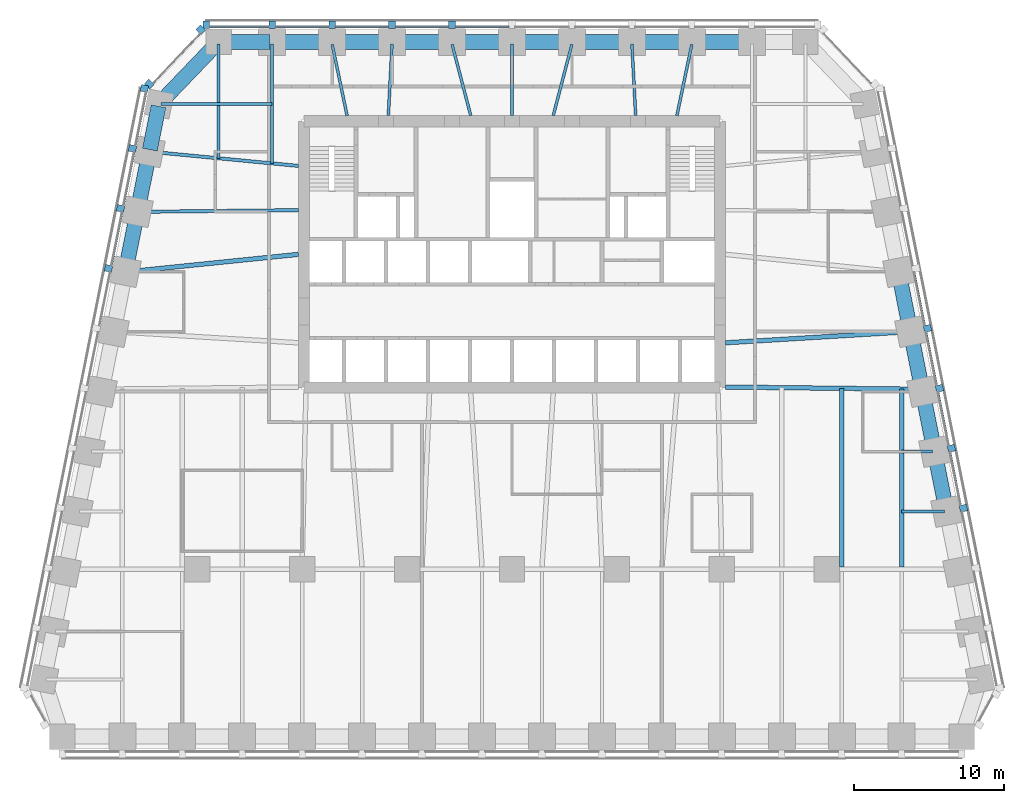
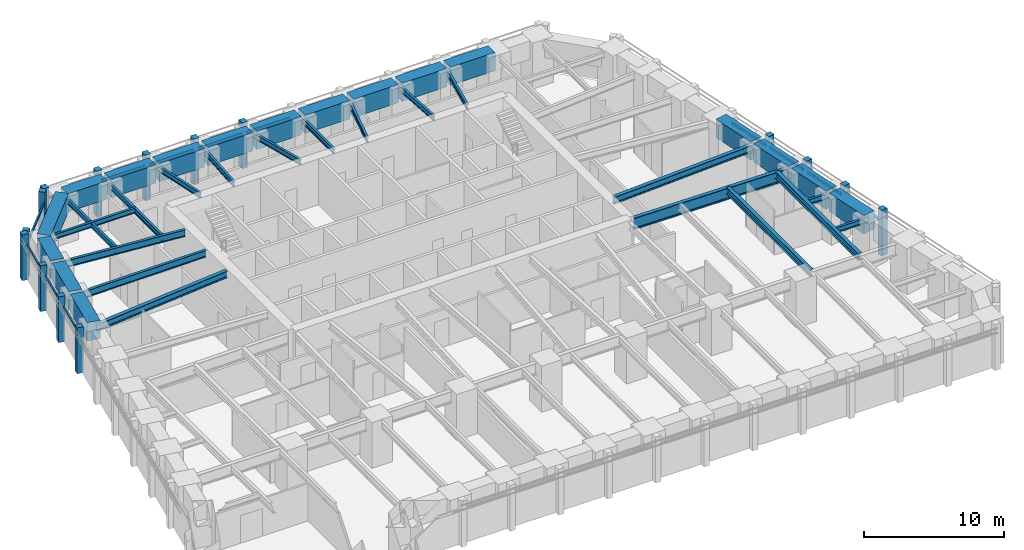
# One storey, part 3 of 10: 36 beams, 28 members, 4 elements without a shape of their own.
"""IFC4 building model written with IfcOpenShell, lengths in metres."""

from ifc_helpers import new_model, si_unit, direction, frame, origin, origin_2d, place, context, subcontext, project, spatial, rectangle, i_section, extrude, material, material_profile, profile_set, type_object, element, aggregate, save


model = new_model("IFC4")

# Units and contexts
model_context = context("Model", 3, precision=1e-05, world=origin(), true_north=direction((0.0, 1.0)))
body_context = subcontext(model_context, "Body", "Model", "MODEL_VIEW")
ifc_project = project(units=[si_unit("LENGTHUNIT", "METRE"), si_unit("AREAUNIT", "SQUARE_METRE"), si_unit("VOLUMEUNIT", "CUBIC_METRE"), si_unit("PLANEANGLEUNIT", "RADIAN"), si_unit("MASSUNIT", "GRAM", prefix="KILO")], contexts=[model_context])

# Site, building, storey
site_placement = place(None, origin())
site = spatial("IfcSite", under=ifc_project, at=site_placement, CompositionType="ELEMENT")
building_placement = place(site_placement, origin())
building = spatial("IfcBuilding", under=site, at=building_placement, Name="Isbrekke Arena Tower", CompositionType="ELEMENT")
storey_placement = place(building_placement, frame((0.0, 0.0, 151.0)))
storey = spatial("IfcBuildingStorey", under=building, at=storey_placement, Name="L34", CompositionType="ELEMENT", Elevation=151.0)

# Beams
ifc_material_1 = material(Name="Steel S355", Category="steel")
ifc_material_profile_1 = material_profile(ifc_material_1, i_section(OverallWidth=0.219970703125, OverallDepth=0.60009765625, WebThickness=0.011962890625, FlangeThickness=0.01904296875, FilletRadius=0.02392578125, at=origin_2d()), Name="IPE 600")
ifc_profile_set_1 = profile_set([ifc_material_profile_1], Name="Steel S355")
beam_type_1 = type_object("IfcBeamType", Name="B1 IPE 600", PredefinedType="BEAM", material=ifc_profile_set_1)
beam_1_placement = place(storey_placement, frame((-24.030517578125, 21.837158203125, 3.550048828125), z_axis=(0.995439798606, -0.095391862082, 0.0), x_axis=(0.095391862082, 0.995439798606, 0.0)))
element("IfcBeam", 1, at=beam_1_placement, inside=storey, type_object=beam_type_1, Name="B1 beam E-W02 L34", PredefinedType="BEAM", context=body_context, shape_type="SweptSolid", body=[
    extrude(i_section(OverallWidth=0.219970703125, OverallDepth=0.60009765625, WebThickness=0.011962890625, FlangeThickness=0.01904296875, FilletRadius=0.02392578125, at=origin_2d()), origin(), (0.0, 0.0, 1.0), 9.825439453125),
])
beam_2_placement = place(storey_placement, frame((-24.83984375, 17.838134765625, 3.550048828125), z_axis=(0.999944260169, 0.010558245831, 0.0), x_axis=(-0.010558245831, 0.999944260169, 0.0)))
element("IfcBeam", 2, at=beam_2_placement, inside=storey, type_object=beam_type_1, Name="B1 beam E-W03 L34", PredefinedType="BEAM", context=body_context, shape_type="SweptSolid", body=[
    extrude(i_section(OverallWidth=0.219970703125, OverallDepth=0.60009765625, WebThickness=0.011962890625, FlangeThickness=0.01904296875, FilletRadius=0.02392578125, at=origin_2d()), origin(), (0.0, 0.0, 1.0), 10.59033203125),
])
ifc_material_2 = material(Name="Steel S355", Category="steel")
ifc_material_profile_2 = material_profile(ifc_material_2, i_section(OverallWidth=0.18994140625, OverallDepth=0.449951171875, WebThickness=0.009521484375, FlangeThickness=0.0146484375, FilletRadius=0.02099609375, at=origin_2d()), Name="IPE 450")
ifc_profile_set_2 = profile_set([ifc_material_profile_2], Name="Steel S355")
beam_type_2 = type_object("IfcBeamType", Name="B2 IPE 450", PredefinedType="BEAM", material=ifc_profile_set_2)
beam_3_placement = place(storey_placement, frame((28.841064453125, -2.161865234375, 3.625), z_axis=(-1.0, 0.0, 0.0), x_axis=(0.0, -1.0, 0.0)))
element("IfcBeam", 3, at=beam_3_placement, inside=storey, type_object=beam_type_2, Name="B2 beam E-E04 L34", PredefinedType="BEAM", context=body_context, shape_type="SweptSolid", body=[
    extrude(i_section(OverallWidth=0.18994140625, OverallDepth=0.449951171875, WebThickness=0.009521484375, FlangeThickness=0.0146484375, FilletRadius=0.02099609375, at=origin_2d()), origin(), (0.0, 0.0, 1.0), 2.841064453125),
])
beam_4_placement = place(storey_placement, frame((28.041015625, 1.838134765625, 3.625), z_axis=(-1.0, 0.0, 0.0), x_axis=(0.0, -1.0, 0.0)))
element("IfcBeam", 4, at=beam_4_placement, inside=storey, type_object=beam_type_2, Name="B2 beam E-E05 L34", PredefinedType="BEAM", context=body_context, shape_type="SweptSolid", body=[
    extrude(i_section(OverallWidth=0.18994140625, OverallDepth=0.449951171875, WebThickness=0.009521484375, FlangeThickness=0.0146484375, FilletRadius=0.02099609375, at=origin_2d()), origin(), (0.0, 0.0, 1.0), 2.041015625),
])
beam_5_placement = place(storey_placement, frame((-23.40283203125, 25.029296875, 3.625), z_axis=(1.0, 0.0, 0.0), x_axis=(0.0, 1.0, 0.0)))
element("IfcBeam", 5, at=beam_5_placement, inside=storey, type_object=beam_type_2, Name="B2 beam E-W01 L34", PredefinedType="BEAM", context=body_context, shape_type="SweptSolid", body=[
    extrude(i_section(OverallWidth=0.18994140625, OverallDepth=0.449951171875, WebThickness=0.009521484375, FlangeThickness=0.0146484375, FilletRadius=0.02099609375, at=origin_2d()), origin(), (0.0, 0.0, 1.0), 7.40283203125),
])
ifc_material_3 = material(Name="Steel S355", Category="steel")
ifc_material_profile_3 = material_profile(ifc_material_3, i_section(OverallWidth=0.18994140625, OverallDepth=0.449951171875, WebThickness=0.009521484375, FlangeThickness=0.0146484375, FilletRadius=0.02099609375, at=origin_2d()), Name="IPE 450")
ifc_profile_set_3 = profile_set([ifc_material_profile_3], Name="Steel S355")
beam_type_3 = type_object("IfcBeamType", Name="B3 IPE 450", PredefinedType="BEAM", material=ifc_profile_set_3)
beam_6_placement = place(storey_placement, frame((-16.0, 29.02490234375, 3.625), z_axis=(0.0, -1.0, 0.0), x_axis=(1.0, 0.0, 0.0)))
element("IfcBeam", 6, at=beam_6_placement, inside=storey, type_object=beam_type_3, Name="B3 beam N-N10 L34", PredefinedType="BEAM", context=body_context, shape_type="SweptSolid", body=[
    extrude(i_section(OverallWidth=0.18994140625, OverallDepth=0.449951171875, WebThickness=0.009521484375, FlangeThickness=0.0146484375, FilletRadius=0.02099609375, at=origin_2d()), origin(), (0.0, 0.0, 1.0), 7.957275390625),
])
beam_7_placement = place(storey_placement, frame((-19.574951171875, 29.02490234375, 3.625), z_axis=(0.0, -1.0, 0.0), x_axis=(1.0, 0.0, 0.0)))
element("IfcBeam", 7, at=beam_7_placement, inside=storey, type_object=beam_type_3, Name="B3 beam N-N11 L34", PredefinedType="BEAM", context=body_context, shape_type="SweptSolid", body=[
    extrude(i_section(OverallWidth=0.18994140625, OverallDepth=0.449951171875, WebThickness=0.009521484375, FlangeThickness=0.0146484375, FilletRadius=0.02099609375, at=origin_2d()), origin(), (0.0, 0.0, 1.0), 7.61474609375),
])
beam_8_placement = place(storey_placement, frame((11.99609375, 29.005859375, 3.625), z_axis=(-0.20499748459, -0.978762499952, 0.0), x_axis=(0.978762499952, -0.20499748459, 0.0)))
element("IfcBeam", 8, at=beam_8_placement, inside=storey, type_object=beam_type_3, Name="B3 beam N-N03 L34", PredefinedType="BEAM", context=body_context, shape_type="SweptSolid", body=[
    extrude(i_section(OverallWidth=0.18994140625, OverallDepth=0.449951171875, WebThickness=0.009521484375, FlangeThickness=0.0146484375, FilletRadius=0.02099609375, at=origin_2d()), origin(), (0.0, 0.0, 1.0), 4.859130859375),
])
beam_9_placement = place(storey_placement, frame((8.000244140625, 29.02001953125, 3.625), z_axis=(0.052287879538, -0.998632053187, 0.0), x_axis=(0.998632053187, 0.052287879538, 0.0)))
element("IfcBeam", 9, at=beam_9_placement, inside=storey, type_object=beam_type_3, Name="B3 beam N-N04 L34", PredefinedType="BEAM", context=body_context, shape_type="SweptSolid", body=[
    extrude(i_section(OverallWidth=0.18994140625, OverallDepth=0.449951171875, WebThickness=0.009521484375, FlangeThickness=0.0146484375, FilletRadius=0.02099609375, at=origin_2d()), origin(), (0.0, 0.0, 1.0), 4.776611328125),
])
beam_10_placement = place(storey_placement, frame((3.993896484375, 29.001708984375, 3.625), z_axis=(-0.253245319824, -0.967402092197, 0.0), x_axis=(0.967402092197, -0.253245319824, 0.0)))
element("IfcBeam", 10, at=beam_10_placement, inside=storey, type_object=beam_type_3, Name="B3 beam N-N05 L34", PredefinedType="BEAM", context=body_context, shape_type="SweptSolid", body=[
    extrude(i_section(OverallWidth=0.18994140625, OverallDepth=0.449951171875, WebThickness=0.009521484375, FlangeThickness=0.0146484375, FilletRadius=0.02099609375, at=origin_2d()), origin(), (0.0, 0.0, 1.0), 4.911865234375),
])
beam_11_placement = place(storey_placement, frame((0.0, 29.02490234375, 3.625), z_axis=(0.0, -1.0, 0.0), x_axis=(1.0, 0.0, 0.0)))
element("IfcBeam", 11, at=beam_11_placement, inside=storey, type_object=beam_type_3, Name="B3 beam N-N06 L34", PredefinedType="BEAM", context=body_context, shape_type="SweptSolid", body=[
    extrude(i_section(OverallWidth=0.18994140625, OverallDepth=0.449951171875, WebThickness=0.009521484375, FlangeThickness=0.0146484375, FilletRadius=0.02099609375, at=origin_2d()), origin(), (0.0, 0.0, 1.0), 4.77490234375),
])
beam_12_placement = place(storey_placement, frame((-3.993896484375, 29.001708984375, 3.625), z_axis=(0.253245319824, -0.967402092197, 0.0), x_axis=(0.967402092197, 0.253245319824, 0.0)))
element("IfcBeam", 12, at=beam_12_placement, inside=storey, type_object=beam_type_3, Name="B3 beam N-N07 L34", PredefinedType="BEAM", context=body_context, shape_type="SweptSolid", body=[
    extrude(i_section(OverallWidth=0.18994140625, OverallDepth=0.449951171875, WebThickness=0.009521484375, FlangeThickness=0.0146484375, FilletRadius=0.02099609375, at=origin_2d()), origin(), (0.0, 0.0, 1.0), 4.911865234375),
])
beam_13_placement = place(storey_placement, frame((-8.000244140625, 29.02001953125, 3.625), z_axis=(-0.052287879538, -0.998632053187, 0.0), x_axis=(0.998632053187, -0.052287879538, 0.0)))
element("IfcBeam", 13, at=beam_13_placement, inside=storey, type_object=beam_type_3, Name="B3 beam N-N08 L34", PredefinedType="BEAM", context=body_context, shape_type="SweptSolid", body=[
    extrude(i_section(OverallWidth=0.18994140625, OverallDepth=0.449951171875, WebThickness=0.009521484375, FlangeThickness=0.0146484375, FilletRadius=0.02099609375, at=origin_2d()), origin(), (0.0, 0.0, 1.0), 4.776611328125),
])
beam_14_placement = place(storey_placement, frame((-11.99609375, 29.005859375, 3.625), z_axis=(0.20499748459, -0.978762499952, 0.0), x_axis=(0.978762499952, 0.20499748459, 0.0)))
element("IfcBeam", 14, at=beam_14_placement, inside=storey, type_object=beam_type_3, Name="B3 beam N-N09 L34", PredefinedType="BEAM", context=body_context, shape_type="SweptSolid", body=[
    extrude(i_section(OverallWidth=0.18994140625, OverallDepth=0.449951171875, WebThickness=0.009521484375, FlangeThickness=0.0146484375, FilletRadius=0.02099609375, at=origin_2d()), origin(), (0.0, 0.0, 1.0), 4.859130859375),
])
ifc_material_4 = material(Name="Steel S355", Category="steel")
ifc_material_profile_4 = material_profile(ifc_material_4, i_section(OverallWidth=0.300048828125, OverallDepth=0.60009765625, WebThickness=0.015380859375, FlangeThickness=0.030029296875, FilletRadius=0.027099609375, at=origin_2d()), Name="HEB 600")
ifc_profile_set_4 = profile_set([ifc_material_profile_4], Name="Steel S355")
beam_type_4 = type_object("IfcBeamType", Name="B7 HEB 600", PredefinedType="BEAM", material=ifc_profile_set_4)
beam_15_placement = place(storey_placement, frame((22.0, -5.84912109375, 3.550048828125), z_axis=(0.0, 1.0, 0.0), x_axis=(-1.0, 0.0, 0.0)))
element("IfcBeam", 15, at=beam_15_placement, inside=storey, type_object=beam_type_4, Name="B7 beam C-M13 L34", PredefinedType="BEAM", context=body_context, shape_type="SweptSolid", body=[
    extrude(i_section(OverallWidth=0.300048828125, OverallDepth=0.60009765625, WebThickness=0.015380859375, FlangeThickness=0.030029296875, FilletRadius=0.027099609375, at=origin_2d()), origin(), (0.0, 0.0, 1.0), 11.91064453125),
])
beam_16_placement = place(storey_placement, frame((26.0, -5.84912109375, 3.550048828125), z_axis=(0.0, 1.0, 0.0), x_axis=(-1.0, 0.0, 0.0)))
element("IfcBeam", 16, at=beam_16_placement, inside=storey, type_object=beam_type_4, Name="B7 beam C-M14 L34", PredefinedType="BEAM", context=body_context, shape_type="SweptSolid", body=[
    extrude(i_section(OverallWidth=0.300048828125, OverallDepth=0.60009765625, WebThickness=0.015380859375, FlangeThickness=0.030029296875, FilletRadius=0.027099609375, at=origin_2d()), origin(), (0.0, 0.0, 1.0), 11.864990234375),
])
beam_17_placement = place(storey_placement, frame((26.431884765625, 9.837646484375, 3.550048828125), z_axis=(-0.998172191876, -0.060434057993, 0.0), x_axis=(0.060434057993, -0.998172191876, 0.0)))
element("IfcBeam", 17, at=beam_17_placement, inside=storey, type_object=beam_type_4, Name="B7 beam E-E07 L34", PredefinedType="BEAM", context=body_context, shape_type="SweptSolid", body=[
    extrude(i_section(OverallWidth=0.300048828125, OverallDepth=0.60009765625, WebThickness=0.015380859375, FlangeThickness=0.030029296875, FilletRadius=0.027099609375, at=origin_2d()), origin(), (0.0, 0.0, 1.0), 12.2041015625),
])
beam_18_placement = place(storey_placement, frame((-25.6259765625, 13.83984375, 3.550048828125), z_axis=(0.994839949319, 0.10145676537, 0.0), x_axis=(-0.10145676537, 0.994839949319, 0.0)))
element("IfcBeam", 18, at=beam_18_placement, inside=storey, type_object=beam_type_4, Name="B7 beam E-W04 L34", PredefinedType="BEAM", context=body_context, shape_type="SweptSolid", body=[
    extrude(i_section(OverallWidth=0.300048828125, OverallDepth=0.60009765625, WebThickness=0.015380859375, FlangeThickness=0.030029296875, FilletRadius=0.027099609375, at=origin_2d()), origin(), (0.0, 0.0, 1.0), 11.43505859375),
])

# Curtain wall, members
ifc_material_5 = material(Name="Glazed aluminium curtain wall", Category="aluminium")
curtain_wall_type = type_object("IfcCurtainWallType", Name="CWM TOWER CURTAIN WALL MID ZONE", PredefinedType="USERDEFINED", material=ifc_material_5)
curtain_wall_1_placement = place(storey_placement, origin())
curtain_wall_1 = element("IfcCurtainWall", 19, at=curtain_wall_1_placement, inside=storey, type_object=curtain_wall_type, Name="CWM curtain wall L34-E", ObjectType="TOWER CURTAIN WALL MID ZONE", PredefinedType="USERDEFINED")
ifc_material_6 = material(Name="Aluminium mullion, pale brick slip cladding", Category="masonry")
ifc_material_profile_5 = material_profile(ifc_material_6, rectangle(XDim=0.449951171875, YDim=0.5, at=origin_2d()), Name="PIER 450X500")
ifc_profile_set_5 = profile_set([ifc_material_profile_5], Name="Aluminium mullion, pale brick slip cladding")
member_type_1 = type_object("IfcMemberType", Name="CWM-M PIER MULLION 450 x 500", PredefinedType="MULLION", material=ifc_profile_set_5)
member_1_placement = place(storey_placement, frame((30.11865234375, -1.936279296875, 0.0), z_axis=(0.0, 0.0, 1.0), x_axis=(-0.196116135138, 0.980580675691, 0.0)))
member_1 = element("IfcMember", 20, at=member_1_placement, type_object=member_type_1, Name="CWM-M mullion 4", PredefinedType="MULLION", context=body_context, shape_type="SweptSolid", body=[
    extrude(rectangle(XDim=0.449951171875, YDim=0.5, at=origin_2d()), origin(), (0.0, 0.0, 1.0), 4.0),
])
member_2_placement = place(storey_placement, frame((29.318603515625, 2.063720703125, 0.0), z_axis=(0.0, 0.0, 1.0), x_axis=(-0.196116135138, 0.980580675691, 0.0)))
member_2 = element("IfcMember", 21, at=member_2_placement, type_object=member_type_1, Name="CWM-M mullion 5", PredefinedType="MULLION", context=body_context, shape_type="SweptSolid", body=[
    extrude(rectangle(XDim=0.449951171875, YDim=0.5, at=origin_2d()), origin(), (0.0, 0.0, 1.0), 4.0),
])
member_3_placement = place(storey_placement, frame((28.518798828125, 6.063720703125, 0.0), z_axis=(0.0, 0.0, 1.0), x_axis=(-0.196116135138, 0.980580675691, 0.0)))
member_3 = element("IfcMember", 22, at=member_3_placement, type_object=member_type_1, Name="CWM-M mullion 6", PredefinedType="MULLION", context=body_context, shape_type="SweptSolid", body=[
    extrude(rectangle(XDim=0.449951171875, YDim=0.5, at=origin_2d()), origin(), (0.0, 0.0, 1.0), 4.0),
])
member_4_placement = place(storey_placement, frame((27.71875, 10.063720703125, 0.0), z_axis=(0.0, 0.0, 1.0), x_axis=(-0.196116135138, 0.980580675691, 0.0)))
member_4 = element("IfcMember", 23, at=member_4_placement, type_object=member_type_1, Name="CWM-M mullion 7", PredefinedType="MULLION", context=body_context, shape_type="SweptSolid", body=[
    extrude(rectangle(XDim=0.449951171875, YDim=0.5, at=origin_2d()), origin(), (0.0, 0.0, 1.0), 4.0),
])

curtain_wall_2_placement = place(storey_placement, origin())
curtain_wall_2 = element("IfcCurtainWall", 24, at=curtain_wall_2_placement, inside=storey, type_object=curtain_wall_type, Name="CWM curtain wall L34-N", ObjectType="TOWER CURTAIN WALL MID ZONE", PredefinedType="USERDEFINED")
member_5_placement = place(storey_placement, frame((-4.0, 30.324951171875, 0.0), z_axis=(0.0, 0.0, 1.0), x_axis=(-1.0, 0.0, 0.0)))
member_5 = element("IfcMember", 25, at=member_5_placement, type_object=member_type_1, Name="CWM-M mullion 7", PredefinedType="MULLION", context=body_context, shape_type="SweptSolid", body=[
    extrude(rectangle(XDim=0.449951171875, YDim=0.5, at=origin_2d()), origin(), (0.0, 0.0, 1.0), 4.0),
])
member_6_placement = place(storey_placement, frame((-8.0, 30.324951171875, 0.0), z_axis=(0.0, 0.0, 1.0), x_axis=(-1.0, 0.0, 0.0)))
member_6 = element("IfcMember", 26, at=member_6_placement, type_object=member_type_1, Name="CWM-M mullion 8", PredefinedType="MULLION", context=body_context, shape_type="SweptSolid", body=[
    extrude(rectangle(XDim=0.449951171875, YDim=0.5, at=origin_2d()), origin(), (0.0, 0.0, 1.0), 4.0),
])
member_7_placement = place(storey_placement, frame((-12.0, 30.324951171875, 0.0), z_axis=(0.0, 0.0, 1.0), x_axis=(-1.0, 0.0, 0.0)))
member_7 = element("IfcMember", 27, at=member_7_placement, type_object=member_type_1, Name="CWM-M mullion 9", PredefinedType="MULLION", context=body_context, shape_type="SweptSolid", body=[
    extrude(rectangle(XDim=0.449951171875, YDim=0.5, at=origin_2d()), origin(), (0.0, 0.0, 1.0), 4.0),
])
member_8_placement = place(storey_placement, frame((-16.0, 30.324951171875, 0.0), z_axis=(0.0, 0.0, 1.0), x_axis=(-1.0, 0.0, 0.0)))
member_8 = element("IfcMember", 28, at=member_8_placement, type_object=member_type_1, Name="CWM-M mullion 10", PredefinedType="MULLION", context=body_context, shape_type="SweptSolid", body=[
    extrude(rectangle(XDim=0.449951171875, YDim=0.5, at=origin_2d()), origin(), (0.0, 0.0, 1.0), 4.0),
])
member_9_placement = place(storey_placement, frame((-20.39990234375, 30.324951171875, 0.0), z_axis=(0.0, 0.0, 1.0), x_axis=(-1.0, 0.0, 0.0)))
member_9 = element("IfcMember", 29, at=member_9_placement, type_object=member_type_1, Name="CWM-M mullion 11", PredefinedType="MULLION", context=body_context, shape_type="SweptSolid", body=[
    extrude(rectangle(XDim=0.449951171875, YDim=0.5, at=origin_2d()), origin(), (0.0, 0.0, 1.0), 4.0),
])

curtain_wall_3_placement = place(storey_placement, origin())
curtain_wall_3 = element("IfcCurtainWall", 30, at=curtain_wall_3_placement, inside=storey, type_object=curtain_wall_type, Name="CWM curtain wall L34-NW", ObjectType="TOWER CURTAIN WALL MID ZONE", PredefinedType="USERDEFINED")
member_10_placement = place(storey_placement, frame((-20.759033203125, 29.985107421875, 0.0), z_axis=(0.0, 0.0, 1.0), x_axis=(-0.68874946192, -0.72499943359, 0.0)))
member_10 = element("IfcMember", 31, at=member_10_placement, type_object=member_type_1, Name="CWM-M mullion 1", PredefinedType="MULLION", context=body_context, shape_type="SweptSolid", body=[
    extrude(rectangle(XDim=0.449951171875, YDim=0.5, at=origin_2d()), origin(), (0.0, 0.0, 1.0), 4.0),
])
member_11_placement = place(storey_placement, frame((-24.207763671875, 26.35498046875, 0.0), z_axis=(0.0, 0.0, 1.0), x_axis=(-0.68874946192, -0.72499943359, 0.0)))
member_11 = element("IfcMember", 32, at=member_11_placement, type_object=member_type_1, Name="CWM-M mullion 2", PredefinedType="MULLION", context=body_context, shape_type="SweptSolid", body=[
    extrude(rectangle(XDim=0.449951171875, YDim=0.5, at=origin_2d()), origin(), (0.0, 0.0, 1.0), 4.0),
])

curtain_wall_4_placement = place(storey_placement, origin())
curtain_wall_4 = element("IfcCurtainWall", 33, at=curtain_wall_4_placement, inside=storey, type_object=curtain_wall_type, Name="CWM curtain wall L34-W", ObjectType="TOWER CURTAIN WALL MID ZONE", PredefinedType="USERDEFINED")
member_12_placement = place(storey_placement, frame((-24.518798828125, 26.063720703125, 0.0), z_axis=(0.0, 0.0, 1.0), x_axis=(-0.196116135138, -0.980580675691, 0.0)))
member_12 = element("IfcMember", 34, at=member_12_placement, type_object=member_type_1, Name="CWM-M mullion 1", PredefinedType="MULLION", context=body_context, shape_type="SweptSolid", body=[
    extrude(rectangle(XDim=0.449951171875, YDim=0.5, at=origin_2d()), origin(), (0.0, 0.0, 1.0), 4.0),
])
member_13_placement = place(storey_placement, frame((-25.318603515625, 22.063720703125, 0.0), z_axis=(0.0, 0.0, 1.0), x_axis=(-0.196116135138, -0.980580675691, 0.0)))
member_13 = element("IfcMember", 35, at=member_13_placement, type_object=member_type_1, Name="CWM-M mullion 2", PredefinedType="MULLION", context=body_context, shape_type="SweptSolid", body=[
    extrude(rectangle(XDim=0.449951171875, YDim=0.5, at=origin_2d()), origin(), (0.0, 0.0, 1.0), 4.0),
])
member_14_placement = place(storey_placement, frame((-26.11865234375, 18.063720703125, 0.0), z_axis=(0.0, 0.0, 1.0), x_axis=(-0.196116135138, -0.980580675691, 0.0)))
member_14 = element("IfcMember", 36, at=member_14_placement, type_object=member_type_1, Name="CWM-M mullion 3", PredefinedType="MULLION", context=body_context, shape_type="SweptSolid", body=[
    extrude(rectangle(XDim=0.449951171875, YDim=0.5, at=origin_2d()), origin(), (0.0, 0.0, 1.0), 4.0),
])
member_15_placement = place(storey_placement, frame((-26.918701171875, 14.063720703125, 0.0), z_axis=(0.0, 0.0, 1.0), x_axis=(-0.196116135138, -0.980580675691, 0.0)))
member_15 = element("IfcMember", 37, at=member_15_placement, type_object=member_type_1, Name="CWM-M mullion 4", PredefinedType="MULLION", context=body_context, shape_type="SweptSolid", body=[
    extrude(rectangle(XDim=0.449951171875, YDim=0.5, at=origin_2d()), origin(), (0.0, 0.0, 1.0), 4.0),
])

# Member
ifc_material_7 = material(Name="Aluminium transom", Category="aluminium")
ifc_material_profile_6 = material_profile(ifc_material_7, rectangle(XDim=0.1201171875, YDim=0.199951171875, at=origin_2d()), Name="TRANSOM 120X200")
ifc_profile_set_6 = profile_set([ifc_material_profile_6], Name="Aluminium transom")
member_type_2 = type_object("IfcMemberType", Name="CWM-T TRANSOM 120 x 200", PredefinedType="USERDEFINED", material=ifc_profile_set_6)
member_16_placement = place(storey_placement, frame((29.927490234375, -1.7451171875, 3.0), z_axis=(-0.196090262229, 0.980585849918, 0.0), x_axis=(-0.980585849918, -0.196090262229, 0.0)))
member_16 = element("IfcMember", 38, at=member_16_placement, type_object=member_type_2, Name="CWM-T transom 4", ObjectType="TRANSOM", PredefinedType="USERDEFINED", context=body_context, shape_type="SweptSolid", body=[
    extrude(rectangle(XDim=0.1201171875, YDim=0.199951171875, at=origin_2d()), origin(), (0.0, 0.0, 1.0), 3.62939453125),
])

member_17_placement = place(storey_placement, frame((29.12744140625, 2.2548828125, 3.0), z_axis=(-0.196090262229, 0.980585849918, 0.0), x_axis=(-0.980585849918, -0.196090262229, 0.0)))
member_17 = element("IfcMember", 39, at=member_17_placement, type_object=member_type_2, Name="CWM-T transom 5", ObjectType="TRANSOM", PredefinedType="USERDEFINED", context=body_context, shape_type="SweptSolid", body=[
    extrude(rectangle(XDim=0.1201171875, YDim=0.199951171875, at=origin_2d()), origin(), (0.0, 0.0, 1.0), 3.62939453125),
])

member_18_placement = place(storey_placement, frame((28.327392578125, 6.2548828125, 3.0), z_axis=(-0.196090262229, 0.980585849918, 0.0), x_axis=(-0.980585849918, -0.196090262229, 0.0)))
member_18 = element("IfcMember", 40, at=member_18_placement, type_object=member_type_2, Name="CWM-T transom 6", ObjectType="TRANSOM", PredefinedType="USERDEFINED", context=body_context, shape_type="SweptSolid", body=[
    extrude(rectangle(XDim=0.1201171875, YDim=0.199951171875, at=origin_2d()), origin(), (0.0, 0.0, 1.0), 3.62939453125),
])

member_19_placement = place(storey_placement, frame((27.527587890625, 10.2548828125, 3.0), z_axis=(-0.196154943734, 0.980572913173, 0.0), x_axis=(-0.980572913173, -0.196154943734, 0.0)))
member_19 = element("IfcMember", 41, at=member_19_placement, type_object=member_type_2, Name="CWM-T transom 7", ObjectType="TRANSOM", PredefinedType="USERDEFINED", context=body_context, shape_type="SweptSolid", body=[
    extrude(rectangle(XDim=0.1201171875, YDim=0.199951171875, at=origin_2d()), origin(), (0.0, 0.0, 1.0), 3.62939453125),
])

aggregate(curtain_wall_1, [member_1, member_2, member_3, member_4, member_16, member_17, member_18, member_19])

member_20_placement = place(storey_placement, frame((-0.22509765625, 30.175048828125, 3.0), z_axis=(-1.0, 0.0, 0.0), x_axis=(0.0, -1.0, 0.0)))
member_20 = element("IfcMember", 42, at=member_20_placement, type_object=member_type_2, Name="CWM-T transom 6", ObjectType="TRANSOM", PredefinedType="USERDEFINED", context=body_context, shape_type="SweptSolid", body=[
    extrude(rectangle(XDim=0.1201171875, YDim=0.199951171875, at=origin_2d()), origin(), (0.0, 0.0, 1.0), 3.5498046875),
])

member_21_placement = place(storey_placement, frame((-4.22509765625, 30.175048828125, 3.0), z_axis=(-1.0, 0.0, 0.0), x_axis=(0.0, -1.0, 0.0)))
member_21 = element("IfcMember", 43, at=member_21_placement, type_object=member_type_2, Name="CWM-T transom 7", ObjectType="TRANSOM", PredefinedType="USERDEFINED", context=body_context, shape_type="SweptSolid", body=[
    extrude(rectangle(XDim=0.1201171875, YDim=0.199951171875, at=origin_2d()), origin(), (0.0, 0.0, 1.0), 3.5498046875),
])

member_22_placement = place(storey_placement, frame((-8.22509765625, 30.175048828125, 3.0), z_axis=(-1.0, 0.0, 0.0), x_axis=(0.0, -1.0, 0.0)))
member_22 = element("IfcMember", 44, at=member_22_placement, type_object=member_type_2, Name="CWM-T transom 8", ObjectType="TRANSOM", PredefinedType="USERDEFINED", context=body_context, shape_type="SweptSolid", body=[
    extrude(rectangle(XDim=0.1201171875, YDim=0.199951171875, at=origin_2d()), origin(), (0.0, 0.0, 1.0), 3.5498046875),
])

member_23_placement = place(storey_placement, frame((-12.22509765625, 30.175048828125, 3.0), z_axis=(-1.0, 0.0, 0.0), x_axis=(0.0, -1.0, 0.0)))
member_23 = element("IfcMember", 45, at=member_23_placement, type_object=member_type_2, Name="CWM-T transom 9", ObjectType="TRANSOM", PredefinedType="USERDEFINED", context=body_context, shape_type="SweptSolid", body=[
    extrude(rectangle(XDim=0.1201171875, YDim=0.199951171875, at=origin_2d()), origin(), (0.0, 0.0, 1.0), 3.5498046875),
])

member_24_placement = place(storey_placement, frame((-16.22509765625, 30.175048828125, 3.0), z_axis=(-1.0, 0.0, 0.0), x_axis=(0.0, -1.0, 0.0)))
member_24 = element("IfcMember", 46, at=member_24_placement, type_object=member_type_2, Name="CWM-T transom 10", ObjectType="TRANSOM", PredefinedType="USERDEFINED", context=body_context, shape_type="SweptSolid", body=[
    extrude(rectangle(XDim=0.1201171875, YDim=0.199951171875, at=origin_2d()), origin(), (0.0, 0.0, 1.0), 3.949951171875),
])

aggregate(curtain_wall_2, [member_5, member_6, member_7, member_8, member_9, member_20, member_21, member_22, member_23, member_24])

member_25_placement = place(storey_placement, frame((-20.80517578125, 29.71875, 3.0), z_axis=(-0.688739606035, -0.725008796552, 0.0), x_axis=(0.725008796552, -0.688739606035, 0.0)))
member_25 = element("IfcMember", 47, at=member_25_placement, type_object=member_type_2, Name="CWM-T transom 1", ObjectType="TRANSOM", PredefinedType="USERDEFINED", context=body_context, shape_type="SweptSolid", body=[
    extrude(rectangle(XDim=0.1201171875, YDim=0.199951171875, at=origin_2d()), origin(), (0.0, 0.0, 1.0), 4.55712890625),
])

aggregate(curtain_wall_3, [member_10, member_11, member_25])

member_26_placement = place(storey_placement, frame((-24.415771484375, 25.813720703125, 3.0), z_axis=(-0.196090262229, -0.980585849918, 0.0), x_axis=(0.980585849918, -0.196090262229, 0.0)))
member_26 = element("IfcMember", 48, at=member_26_placement, type_object=member_type_2, Name="CWM-T transom 1", ObjectType="TRANSOM", PredefinedType="USERDEFINED", context=body_context, shape_type="SweptSolid", body=[
    extrude(rectangle(XDim=0.1201171875, YDim=0.199951171875, at=origin_2d()), origin(), (0.0, 0.0, 1.0), 3.62939453125),
])

member_27_placement = place(storey_placement, frame((-25.2158203125, 21.813720703125, 3.0), z_axis=(-0.196090262229, -0.980585849918, 0.0), x_axis=(0.980585849918, -0.196090262229, 0.0)))
member_27 = element("IfcMember", 49, at=member_27_placement, type_object=member_type_2, Name="CWM-T transom 2", ObjectType="TRANSOM", PredefinedType="USERDEFINED", context=body_context, shape_type="SweptSolid", body=[
    extrude(rectangle(XDim=0.1201171875, YDim=0.199951171875, at=origin_2d()), origin(), (0.0, 0.0, 1.0), 3.62939453125),
])

member_28_placement = place(storey_placement, frame((-26.015625, 17.813720703125, 3.0), z_axis=(-0.196154943734, -0.980572913173, 0.0), x_axis=(0.980572913173, -0.196154943734, 0.0)))
member_28 = element("IfcMember", 50, at=member_28_placement, type_object=member_type_2, Name="CWM-T transom 3", ObjectType="TRANSOM", PredefinedType="USERDEFINED", context=body_context, shape_type="SweptSolid", body=[
    extrude(rectangle(XDim=0.1201171875, YDim=0.199951171875, at=origin_2d()), origin(), (0.0, 0.0, 1.0), 3.62939453125),
])

aggregate(curtain_wall_4, [member_12, member_13, member_14, member_15, member_26, member_27, member_28])

# Beams
ifc_material_8 = material(Name="Steel S355", Category="steel")
ifc_material_profile_7 = material_profile(ifc_material_8, i_section(OverallWidth=0.302001953125, OverallDepth=1.008056640625, WebThickness=0.02099609375, FlangeThickness=0.0400390625, FilletRadius=0.030029296875, at=origin_2d()), Name="HEM 1000")
ifc_profile_set_7 = profile_set([ifc_material_profile_7], Name="Steel S355")
beam_type_5 = type_object("IfcBeamType", Name="G2 HEM 1000", PredefinedType="BEAM", material=ifc_profile_set_7)
beam_19_placement = place(storey_placement, frame((14.25, 6.14990234375, 3.345947265625), z_axis=(0.999934928157, -0.011407867963, 0.0), x_axis=(0.011407867963, 0.999934928157, 0.0)))
element("IfcBeam", 51, at=beam_19_placement, inside=storey, type_object=beam_type_5, Name="G2 beam G2-E L34", PredefinedType="BEAM", context=body_context, shape_type="SweptSolid", body=[
    extrude(i_section(OverallWidth=0.302001953125, OverallDepth=1.008056640625, WebThickness=0.02099609375, FlangeThickness=0.0400390625, FilletRadius=0.030029296875, at=origin_2d()), origin(), (0.0, 0.0, 1.0), 13.140380859375),
])
ifc_material_9 = material(Name="Concrete B80 (C80/95)", Category="concrete")
ifc_material_profile_8 = material_profile(ifc_material_9, rectangle(XDim=1.0, YDim=1.60009765625, at=origin_2d()), Name="RC 1000x1600")
ifc_profile_set_8 = profile_set([ifc_material_profile_8], Name="Concrete B80 (C80/95)")
beam_type_6 = type_object("IfcBeamType", Name="SB2 RC 1000 x 1600", PredefinedType="SPANDREL", material=ifc_profile_set_8)
for number, where, z_axis, x_axis, name in (
    (52, (28.961669921875, -2.0146484375, 3.199951171875), (-0.196128558387, 0.980578190959, 0.0), (-0.980578190959, -0.196128558387, 0.0), "SB2 spandrel E04-E05 L34"),
    (53, (28.16162109375, 1.9853515625, 3.199951171875), (-0.196128558387, 0.980578190959, 0.0), (-0.980578190959, -0.196128558387, 0.0), "SB2 spandrel E05-E06 L34"),
    (54, (27.361572265625, 5.9853515625, 3.199951171875), (-0.196128558387, 0.980578190959, 0.0), (-0.980578190959, -0.196128558387, 0.0), "SB2 spandrel E06-E07 L34"),
):
    element("IfcBeam", number, at=place(storey_placement, frame(where, z_axis=z_axis, x_axis=x_axis)), inside=storey, type_object=beam_type_6, Name=name, PredefinedType="SPANDREL", context=body_context, shape_type="SweptSolid", body=[
        extrude(rectangle(XDim=1.0, YDim=1.60009765625, at=origin_2d()), origin(), (0.0, 0.0, 1.0), 3.779296875),
    ])
beam_20_placement = place(storey_placement, frame((26.5615234375, 9.9853515625, 3.199951171875), z_axis=(-0.1960664412, 0.980590613169, 0.0), x_axis=(-0.980590613169, -0.1960664412, 0.0)))
element("IfcBeam", 55, at=beam_20_placement, inside=storey, type_object=beam_type_6, Name="SB2 spandrel E07-E08 L34", PredefinedType="SPANDREL", context=body_context, shape_type="SweptSolid", body=[
    extrude(rectangle(XDim=1.0, YDim=1.60009765625, at=origin_2d()), origin(), (0.0, 0.0, 1.0), 3.779052734375),
])
for number, where, z_axis, x_axis, name in (
    (56, (15.85009765625, 29.175048828125, 3.199951171875), (-1.0, 0.0, 0.0), (0.0, -1.0, 0.0), "SB2 spandrel N02-N03 L34"),
    (57, (11.85009765625, 29.175048828125, 3.199951171875), (-1.0, 0.0, 0.0), (0.0, -1.0, 0.0), "SB2 spandrel N03-N04 L34"),
    (58, (7.85009765625, 29.175048828125, 3.199951171875), (-1.0, 0.0, 0.0), (0.0, -1.0, 0.0), "SB2 spandrel N04-N05 L34"),
    (59, (3.85009765625, 29.175048828125, 3.199951171875), (-1.0, 0.0, 0.0), (0.0, -1.0, 0.0), "SB2 spandrel N05-N06 L34"),
    (60, (-0.14990234375, 29.175048828125, 3.199951171875), (-1.0, 0.0, 0.0), (0.0, -1.0, 0.0), "SB2 spandrel N06-N07 L34"),
    (61, (-4.14990234375, 29.175048828125, 3.199951171875), (-1.0, 0.0, 0.0), (0.0, -1.0, 0.0), "SB2 spandrel N07-N08 L34"),
    (62, (-8.14990234375, 29.175048828125, 3.199951171875), (-1.0, 0.0, 0.0), (0.0, -1.0, 0.0), "SB2 spandrel N08-N09 L34"),
    (63, (-12.14990234375, 29.175048828125, 3.199951171875), (-1.0, 0.0, 0.0), (0.0, -1.0, 0.0), "SB2 spandrel N09-N10 L34"),
):
    element("IfcBeam", number, at=place(storey_placement, frame(where, z_axis=z_axis, x_axis=x_axis)), inside=storey, type_object=beam_type_6, Name=name, PredefinedType="SPANDREL", context=body_context, shape_type="SweptSolid", body=[
        extrude(rectangle(XDim=1.0, YDim=1.60009765625, at=origin_2d()), origin(), (0.0, 0.0, 1.0), 3.7001953125),
    ])
beam_21_placement = place(storey_placement, frame((-16.14990234375, 29.175048828125, 3.199951171875), z_axis=(-1.0, 0.0, 0.0), x_axis=(0.0, -1.0, 0.0)))
element("IfcBeam", 64, at=beam_21_placement, inside=storey, type_object=beam_type_6, Name="SB2 spandrel N10-N11 L34", PredefinedType="SPANDREL", context=body_context, shape_type="SweptSolid", body=[
    extrude(rectangle(XDim=1.0, YDim=1.60009765625, at=origin_2d()), origin(), (0.0, 0.0, 1.0), 3.275146484375),
])
beam_22_placement = place(storey_placement, frame((-19.678955078125, 29.066650390625, 3.199951171875), z_axis=(-0.692339547635, -0.721571861134, 0.0), x_axis=(0.721571861134, -0.692339547635, 0.0)))
element("IfcBeam", 65, at=beam_22_placement, inside=storey, type_object=beam_type_6, Name="SB2 spandrel N11-W01 L34", PredefinedType="SPANDREL", context=body_context, shape_type="SweptSolid", body=[
    extrude(rectangle(XDim=1.0, YDim=1.60009765625, at=origin_2d()), origin(), (0.0, 0.0, 1.0), 5.4453125),
])
beam_23_placement = place(storey_placement, frame((-23.582275390625, 24.882080078125, 3.199951171875), z_axis=(-0.196116135138, -0.980580675691, 0.0), x_axis=(0.980580675691, -0.196116135138, 0.0)))
element("IfcBeam", 66, at=beam_23_placement, inside=storey, type_object=beam_type_6, Name="SB2 spandrel W01-W02 L34", PredefinedType="SPANDREL", context=body_context, shape_type="SweptSolid", body=[
    extrude(rectangle(XDim=1.0, YDim=1.60009765625, at=origin_2d()), origin(), (0.0, 0.0, 1.0), 2.9541015625),
])
for number, where, z_axis, x_axis, name in (
    (67, (-24.220458984375, 21.691162109375, 3.199951171875), (-0.196128558387, -0.980578190959, 0.0), (0.980578190959, -0.196128558387, 0.0), "SB2 spandrel W02-W03 L34"),
    (68, (-25.0205078125, 17.691162109375, 3.199951171875), (-0.196128558387, -0.980578190959, 0.0), (0.980578190959, -0.196128558387, 0.0), "SB2 spandrel W03-W04 L34"),
):
    element("IfcBeam", number, at=place(storey_placement, frame(where, z_axis=z_axis, x_axis=x_axis)), inside=storey, type_object=beam_type_6, Name=name, PredefinedType="SPANDREL", context=body_context, shape_type="SweptSolid", body=[
        extrude(rectangle(XDim=1.0, YDim=1.60009765625, at=origin_2d()), origin(), (0.0, 0.0, 1.0), 3.779296875),
    ])

save(model, "model.ifc")
